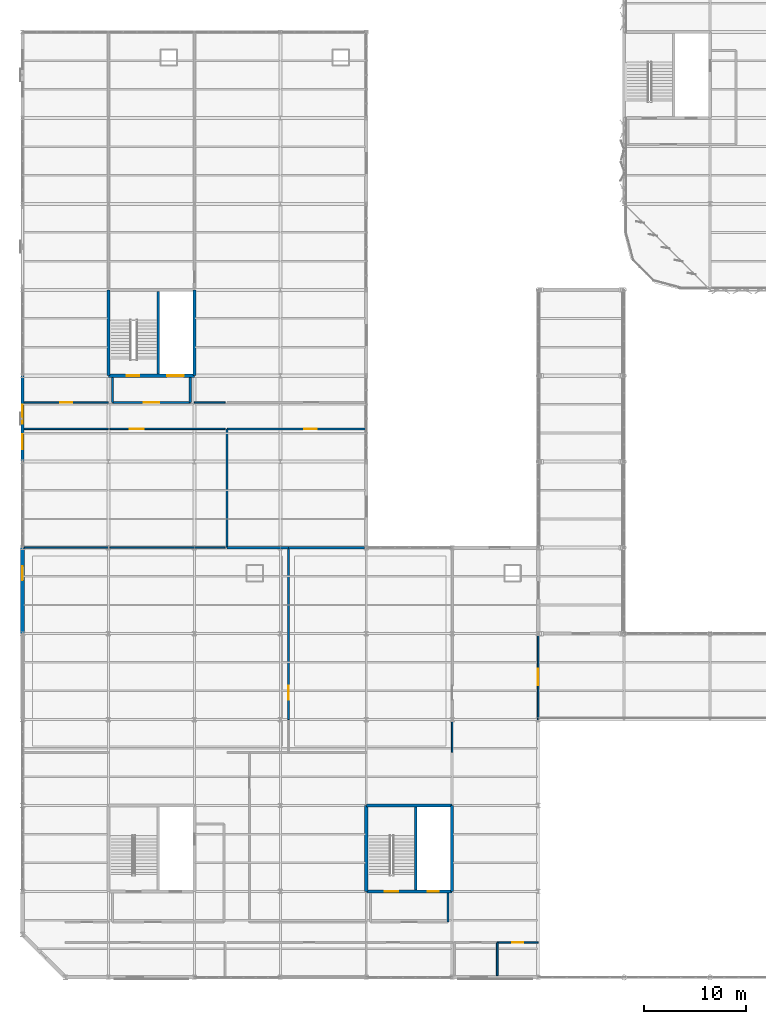
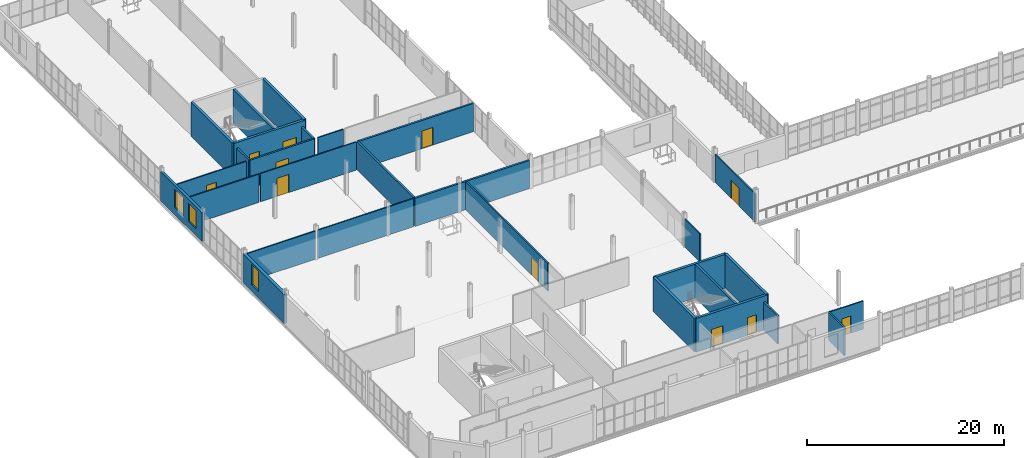
# One storey, part 132 of 163: 30 walls, 11 doors, 3 windows, 14 openings.
"""IFC4 building model written with IfcOpenShell, lengths in metres."""

from ifc_helpers import new_model, si_unit, direction, frame, frame_2d, origin, place, context, subcontext, project, spatial, rectangle, extrude, material, layer, layer_set, type_object, element, fill, save


model = new_model("IFC4")

# Units and contexts
model_context = context("Model", 3, precision=1e-05, world=origin(), true_north=direction((0.0, 1.0)))
body_context = subcontext(model_context, "Body", "Model", "MODEL_VIEW")
ifc_project = project(units=[si_unit("LENGTHUNIT", "METRE"), si_unit("AREAUNIT", "SQUARE_METRE"), si_unit("VOLUMEUNIT", "CUBIC_METRE"), si_unit("PLANEANGLEUNIT", "RADIAN"), si_unit("MASSUNIT", "GRAM", prefix="KILO")], contexts=[model_context])

# Site, building, storey
site_placement = place(None, origin())
site = spatial("IfcSite", under=ifc_project, at=site_placement, CompositionType="ELEMENT")
building_placement = place(site_placement, origin())
building = spatial("IfcBuilding", under=site, at=building_placement, Name="Qalvenar Corner Mobility Hub", CompositionType="ELEMENT")
storey_placement = place(building_placement, frame((0.0, 0.0, 4.800048828125)))
storey = spatial("IfcBuildingStorey", under=building, at=storey_placement, Name="L01", CompositionType="ELEMENT", Elevation=4.800048828125)

# Walls
ifc_material_1 = material(Name="Concrete C40/50", Category="concrete")
ifc_layer_1 = layer(ifc_material_1, 0.25)
ifc_layer_set_1 = layer_set([ifc_layer_1], Name="Concrete C40/50")
wall_type_1 = type_object("IfcWallType", Name="WL-CORE250", PredefinedType="SHEAR", material=ifc_layer_set_1)
wall_1_placement = place(storey_placement, frame((38.449951171875, 8.550048828125, 0.0), z_axis=(0.0, 0.0, 1.0), x_axis=(0.0, 1.0, 0.0)))
element("IfcWall", 1, at=wall_1_placement, inside=storey, type_object=wall_type_1, Name="Core Divider Wall C2-L01", PredefinedType="SHEAR", context=body_context, shape_type="SweptSolid", body=[
    extrude(rectangle(XDim=8.099853515625, YDim=0.25, at=frame_2d((4.0498046875, 0.0))), origin(), (0.0, 0.0, 1.0), 4.199951171875),
])
wall_2_placement = place(storey_placement, frame((13.25, 58.949951171875, 0.0), z_axis=(0.0, 0.0, 1.0), x_axis=(0.0, 1.0, 0.0)))
element("IfcWall", 2, at=wall_2_placement, inside=storey, type_object=wall_type_1, Name="Core Divider Wall C5-L01", PredefinedType="SHEAR", context=body_context, shape_type="SweptSolid", body=[
    extrude(rectangle(XDim=8.10009765625, YDim=0.25, at=frame_2d((4.050048828125, 0.0))), origin(), (0.0, 0.0, 1.0), 4.199951171875),
])

# Wall, openings, doors
ifc_layer_2 = layer(ifc_material_1, 0.300048828125)
ifc_layer_set_2 = layer_set([ifc_layer_2], Name="Concrete C40/50")
wall_type_2 = type_object("IfcWallType", Name="WL-CORE300", PredefinedType="SHEAR", material=ifc_layer_set_2)
wall_3_placement = place(storey_placement, frame((33.60009765625, 8.39990234375, 0.0), z_axis=(0.0, 0.0, 1.0), x_axis=(1.0, 0.0, 0.0)))
wall_3 = element("IfcWall", 3, at=wall_3_placement, inside=storey, type_object=wall_type_2, Name="Core Shear Wall C2-L01-S", PredefinedType="SHEAR", context=body_context, shape_type="SweptSolid", body=[
    extrude(rectangle(XDim=8.39990234375, YDim=0.300048828125, at=frame_2d((4.199951171875, 0.0))), origin(), (0.0, 0.0, 1.0), 4.199951171875),
])
opening_1_placement = place(wall_3_placement, frame((1.800048828125, 0.0, 0.0)))
opening_1 = element("IfcOpeningElement", 4, at=opening_1_placement, cuts=wall_3, Name="Opening DR-120", PredefinedType="OPENING", context=body_context, shape_type="SweptSolid", body=[
    extrude(rectangle(XDim=1.35009765625, YDim=2.199951171875, at=frame_2d((0.675048828125, 1.10009765625))), frame((0.0, 0.16015625, 0.0), z_axis=(0.0, -1.0, 0.0), x_axis=(1.0, 0.0, 0.0)), (0.0, 0.0, 1.0), 0.320068359375),
])
opening_2_placement = place(wall_3_placement, frame((6.0, 0.0, 0.0)))
opening_2 = element("IfcOpeningElement", 5, at=opening_2_placement, cuts=wall_3, Name="Opening DR-121", PredefinedType="OPENING", context=body_context, shape_type="SweptSolid", body=[
    extrude(rectangle(XDim=1.10009765625, YDim=2.199951171875, at=frame_2d((0.550048828125, 1.10009765625))), frame((0.0, 0.16015625, 0.0), z_axis=(0.0, -1.0, 0.0), x_axis=(1.0, 0.0, 0.0)), (0.0, 0.0, 1.0), 0.320068359375),
])
ifc_material_2 = material(Name="Stainless Steel Lift Landing Door", Category="steel")
door_type_1 = type_object("IfcDoorType", Name="DR-LIFT-110", OperationType="SLIDING_TO_LEFT", PredefinedType="DOOR", material=ifc_material_2)
door_1_placement = place(opening_2_placement, origin())
door_1 = element("IfcDoor", 6, at=door_1_placement, inside=storey, type_object=door_type_1, Name="DR-121 Lift Landing Door LF2-L01", OperationType="SLIDING_TO_LEFT", OverallHeight=2.199951171875, OverallWidth=1.10009765625, PredefinedType="DOOR", context=body_context, shape_type="SweptSolid", body=[
    extrude(rectangle(XDim=1.10009765625, YDim=2.199951171875, at=frame_2d((0.550048828125, 1.10009765625))), frame((0.0, 0.02490234375, 0.0), z_axis=(0.0, -1.0, 0.0), x_axis=(1.0, 0.0, 0.0)), (0.0, 0.0, 1.0), 0.050048828125),
])
fill(opening_2, door_1)
ifc_material_3 = material(Name="Fire-Rated Steel Stair Door FD90", Category="steel")
door_type_2 = type_object("IfcDoorType", Name="DR-STAIR-135", OperationType="NOTDEFINED", PredefinedType="DOOR", material=ifc_material_3)
door_2_placement = place(opening_1_placement, origin())
door_2 = element("IfcDoor", 7, at=door_2_placement, inside=storey, type_object=door_type_2, Name="DR-120 Stair Fire Door ST2-L01", OperationType="SINGLE_SWING_LEFT", OverallHeight=2.199951171875, OverallWidth=1.35009765625, PredefinedType="DOOR", context=body_context, shape_type="SweptSolid", body=[
    extrude(rectangle(XDim=1.35009765625, YDim=2.199951171875, at=frame_2d((0.675048828125, 1.10009765625))), frame((0.0, 0.02490234375, 0.0), z_axis=(0.0, -1.0, 0.0), x_axis=(1.0, 0.0, 0.0)), (0.0, 0.0, 1.0), 0.050048828125),
])
fill(opening_1, door_2)

# Walls
wall_4_placement = place(storey_placement, frame((42.0, 8.39990234375, 0.0), z_axis=(0.0, 0.0, 1.0), x_axis=(0.0, 1.0, 0.0)))
element("IfcWall", 8, at=wall_4_placement, inside=storey, type_object=wall_type_2, Name="Core Shear Wall C2-L01-E", PredefinedType="SHEAR", context=body_context, shape_type="SweptSolid", body=[
    extrude(rectangle(XDim=8.400146484375, YDim=0.300048828125, at=frame_2d((4.2001953125, 0.0))), origin(), (0.0, 0.0, 1.0), 4.199951171875),
])
wall_5_placement = place(storey_placement, frame((42.0, 16.800048828125, 0.0), z_axis=(0.0, 0.0, 1.0), x_axis=(-1.0, 0.0, 0.0)))
element("IfcWall", 9, at=wall_5_placement, inside=storey, type_object=wall_type_2, Name="Core Shear Wall C2-L01-N", PredefinedType="SHEAR", context=body_context, shape_type="SweptSolid", body=[
    extrude(rectangle(XDim=8.39990234375, YDim=0.300048828125, at=frame_2d((4.199951171875, 0.0))), origin(), (0.0, 0.0, 1.0), 4.199951171875),
])
wall_6_placement = place(storey_placement, frame((33.60009765625, 16.800048828125, 0.0), z_axis=(0.0, 0.0, 1.0), x_axis=(0.0, -1.0, 0.0)))
element("IfcWall", 10, at=wall_6_placement, inside=storey, type_object=wall_type_2, Name="Core Shear Wall C2-L01-W", PredefinedType="SHEAR", context=body_context, shape_type="SweptSolid", body=[
    extrude(rectangle(XDim=8.400146484375, YDim=0.300048828125, at=frame_2d((4.2001953125, 0.0))), origin(), (0.0, 0.0, 1.0), 4.199951171875),
])

# Wall, openings, doors
wall_7_placement = place(storey_placement, frame((8.39990234375, 58.800048828125, 0.0), z_axis=(0.0, 0.0, 1.0), x_axis=(1.0, 0.0, 0.0)))
wall_7 = element("IfcWall", 11, at=wall_7_placement, inside=storey, type_object=wall_type_2, Name="Core Shear Wall C5-L01-S", PredefinedType="SHEAR", context=body_context, shape_type="SweptSolid", body=[
    extrude(rectangle(XDim=8.400146484375, YDim=0.300048828125, at=frame_2d((4.2001953125, 0.0))), origin(), (0.0, 0.0, 1.0), 4.199951171875),
])
opening_3_placement = place(wall_7_placement, frame((1.800048828125, 0.0, 0.0)))
opening_3 = element("IfcOpeningElement", 12, at=opening_3_placement, cuts=wall_7, Name="Opening DR-130", PredefinedType="OPENING", context=body_context, shape_type="SweptSolid", body=[
    extrude(rectangle(XDim=1.199951171875, YDim=2.199951171875, at=frame_2d((0.60009765625, 1.10009765625))), frame((0.0, 0.16015625, 0.0), z_axis=(0.0, -1.0, 0.0), x_axis=(1.0, 0.0, 0.0)), (0.0, 0.0, 1.0), 0.320068359375),
])
opening_4_placement = place(wall_7_placement, frame((5.75, 0.0, 0.0)))
opening_4 = element("IfcOpeningElement", 13, at=opening_4_placement, cuts=wall_7, Name="Opening DR-131", PredefinedType="OPENING", context=body_context, shape_type="SweptSolid", body=[
    extrude(rectangle(XDim=1.60009765625, YDim=2.39990234375, at=frame_2d((0.800048828125, 1.199951171875))), frame((0.0, 0.16015625, 0.0), z_axis=(0.0, -1.0, 0.0), x_axis=(1.0, 0.0, 0.0)), (0.0, 0.0, 1.0), 0.320068359375),
])
ifc_material_4 = material(Name="Stainless Steel Goods Lift Landing Door", Category="steel")
door_type_3 = type_object("IfcDoorType", Name="DR-LIFT-160", OperationType="SLIDING_TO_LEFT", PredefinedType="DOOR", material=ifc_material_4)
door_3_placement = place(opening_4_placement, origin())
door_3 = element("IfcDoor", 14, at=door_3_placement, inside=storey, type_object=door_type_3, Name="DR-131 Lift Landing Door LG1-L01", OperationType="SLIDING_TO_LEFT", OverallHeight=2.39990234375, OverallWidth=1.60009765625, PredefinedType="DOOR", context=body_context, shape_type="SweptSolid", body=[
    extrude(rectangle(XDim=1.60009765625, YDim=2.39990234375, at=frame_2d((0.800048828125, 1.199951171875))), frame((0.0, 0.02490234375, 0.0), z_axis=(0.0, -1.0, 0.0), x_axis=(1.0, 0.0, 0.0)), (0.0, 0.0, 1.0), 0.050048828125),
])
fill(opening_4, door_3)
door_type_4 = type_object("IfcDoorType", Name="DR-STAIR-120", OperationType="NOTDEFINED", PredefinedType="DOOR", material=ifc_material_3)
door_4_placement = place(opening_3_placement, origin())
door_4 = element("IfcDoor", 15, at=door_4_placement, inside=storey, type_object=door_type_4, Name="DR-130 Stair Fire Door ST5-L01", OperationType="SINGLE_SWING_RIGHT", OverallHeight=2.199951171875, OverallWidth=1.199951171875, PredefinedType="DOOR", context=body_context, shape_type="SweptSolid", body=[
    extrude(rectangle(XDim=1.199951171875, YDim=2.199951171875, at=frame_2d((0.60009765625, 1.10009765625))), frame((0.0, 0.02490234375, 0.0), z_axis=(0.0, -1.0, 0.0), x_axis=(1.0, 0.0, 0.0)), (0.0, 0.0, 1.0), 0.050048828125),
])
fill(opening_3, door_4)

# Walls
for number, where, z_axis, x_axis, name in (
    (16, (16.800048828125, 58.800048828125, 0.0), (0.0, 0.0, 1.0), (0.0, 1.0, 0.0), "Core Shear Wall C5-L01-E"),
    (17, (8.39990234375, 67.199951171875, 0.0), (0.0, 0.0, 1.0), (0.0, -1.0, 0.0), "Core Shear Wall C5-L01-W"),
):
    element("IfcWall", number, at=place(storey_placement, frame(where, z_axis=z_axis, x_axis=x_axis)), inside=storey, type_object=wall_type_2, Name=name, PredefinedType="SHEAR", context=body_context, shape_type="SweptSolid", body=[
        extrude(rectangle(XDim=8.39990234375, YDim=0.300048828125, at=frame_2d((4.199951171875, 0.0))), origin(), (0.0, 0.0, 1.0), 4.199951171875),
    ])

# Wall, openings, windows
ifc_material_5 = material(Name="Lahori Fired Clay Brick Masonry", Category="masonry")
ifc_layer_3 = layer(ifc_material_5, 0.300048828125)
ifc_layer_set_3 = layer_set([ifc_layer_3], Name="Lahori Fired Clay Brick Masonry")
wall_type_3 = type_object("IfcWallType", Name="WL-EXT-BRK300", PredefinedType="STANDARD", material=ifc_layer_set_3)
wall_8_placement = place(storey_placement, frame((0.0, 58.800048828125, 0.0), z_axis=(0.0, 0.0, 1.0), x_axis=(0.0, -1.0, 0.0)))
wall_8 = element("IfcWall", 18, at=wall_8_placement, inside=storey, type_object=wall_type_3, Name="Exterior Facade Wall EW-V5-L01-W1", PredefinedType="STANDARD", context=body_context, shape_type="SweptSolid", body=[
    extrude(rectangle(XDim=8.400146484375, YDim=0.300048828125, at=frame_2d((4.2001953125, 0.0))), origin(), (0.0, 0.0, 1.0), 3.619873046875),
])
opening_5_placement = place(wall_8_placement, frame((2.85498046875, 0.0, 0.89990234375)))
opening_5 = element("IfcOpeningElement", 19, at=opening_5_placement, cuts=wall_8, Name="Opening W-33", PredefinedType="OPENING", context=body_context, shape_type="SweptSolid", body=[
    extrude(rectangle(XDim=1.85009765625, YDim=2.25, at=frame_2d((0.925048828125, 1.125))), frame((0.0, 0.16015625, 0.0), z_axis=(0.0, -1.0, 0.0), x_axis=(1.0, 0.0, 0.0)), (0.0, 0.0, 1.0), 0.320068359375),
])
opening_6_placement = place(wall_8_placement, frame((5.7099609375, 0.0, 0.89990234375)))
opening_6 = element("IfcOpeningElement", 20, at=opening_6_placement, cuts=wall_8, Name="Opening W-34", PredefinedType="OPENING", context=body_context, shape_type="SweptSolid", body=[
    extrude(rectangle(XDim=1.449951171875, YDim=2.25, at=frame_2d((0.72509765625, 1.125))), frame((0.0, 0.16015625, 0.0), z_axis=(0.0, -1.0, 0.0), x_axis=(1.0, 0.0, 0.0)), (0.0, 0.0, 1.0), 0.320068359375),
])
ifc_material_6 = material(Name="Solar-Control Double-Glazed Bronze Window", Category="glass")
window_type_1 = type_object("IfcWindowType", Name="WN-CYC-145X225", PartitioningType="SINGLE_PANEL", PredefinedType="WINDOW", material=ifc_material_6)
window_1_placement = place(opening_6_placement, origin())
window_1 = element("IfcWindow", 21, at=window_1_placement, inside=storey, type_object=window_type_1, Name="Facade Window EW-V5-L01-W1-W2", OverallHeight=2.25, OverallWidth=1.449951171875, PartitioningType="SINGLE_PANEL", PredefinedType="WINDOW", context=body_context, shape_type="SweptSolid", body=[
    extrude(rectangle(XDim=1.449951171875, YDim=2.25, at=frame_2d((0.72509765625, 1.125))), frame((0.0, 0.030029296875, 0.0), z_axis=(0.0, -1.0, 0.0), x_axis=(1.0, 0.0, 0.0)), (0.0, 0.0, 1.0), 0.06005859375),
])
fill(opening_6, window_1)
window_type_2 = type_object("IfcWindowType", Name="WN-CYC-185X225", PartitioningType="DOUBLE_PANEL_VERTICAL", PredefinedType="WINDOW", material=ifc_material_6)
window_2_placement = place(opening_5_placement, origin())
window_2 = element("IfcWindow", 22, at=window_2_placement, inside=storey, type_object=window_type_2, Name="Facade Window EW-V5-L01-W1-W1", OverallHeight=2.25, OverallWidth=1.85009765625, PartitioningType="SINGLE_PANEL", PredefinedType="WINDOW", context=body_context, shape_type="SweptSolid", body=[
    extrude(rectangle(XDim=1.85009765625, YDim=2.25, at=frame_2d((0.925048828125, 1.125))), frame((0.0, 0.030029296875, 0.0), z_axis=(0.0, -1.0, 0.0), x_axis=(1.0, 0.0, 0.0)), (0.0, 0.0, 1.0), 0.06005859375),
])
fill(opening_5, window_2)

# Wall, opening, window
ifc_material_7 = material(Name="Red Sandstone Ashlar Masonry", Category="masonry")
ifc_layer_4 = layer(ifc_material_7, 0.360107421875)
ifc_layer_set_4 = layer_set([ifc_layer_4], Name="Red Sandstone Ashlar Masonry")
wall_type_4 = type_object("IfcWallType", Name="WL-EXT-SAND360", PredefinedType="STANDARD", material=ifc_layer_set_4)
wall_9_placement = place(storey_placement, frame((0.0, 42.0, 0.0), z_axis=(0.0, 0.0, 1.0), x_axis=(0.0, -1.0, 0.0)))
wall_9 = element("IfcWall", 23, at=wall_9_placement, inside=storey, type_object=wall_type_4, Name="Exterior Facade Wall EW-V3-L01-014", PredefinedType="STANDARD", context=body_context, shape_type="SweptSolid", body=[
    extrude(rectangle(XDim=8.39990234375, YDim=0.360107421875, at=frame_2d((4.199951171875, 0.0))), origin(), (0.0, 0.0, 1.0), 3.619873046875),
])
opening_7_placement = place(wall_9_placement, frame((1.800048828125, 0.0, 0.85009765625)))
opening_7 = element("IfcOpeningElement", 24, at=opening_7_placement, cuts=wall_9, Name="Opening W-04", PredefinedType="OPENING", context=body_context, shape_type="SweptSolid", body=[
    extrude(rectangle(XDim=1.39990234375, YDim=2.5, at=frame_2d((0.699951171875, 1.25))), frame((0.0, 0.18994140625, 0.0), z_axis=(0.0, -1.0, 0.0), x_axis=(1.0, 0.0, 0.0)), (0.0, 0.0, 1.0), 0.380126953125),
])
window_type_3 = type_object("IfcWindowType", Name="WN-CIV-140X250", PartitioningType="DOUBLE_PANEL_VERTICAL", PredefinedType="WINDOW", material=ifc_material_6)
window_3_placement = place(opening_7_placement, origin())
window_3 = element("IfcWindow", 25, at=window_3_placement, inside=storey, type_object=window_type_3, Name="Facade Window EW-V3-L01-014-W1", OverallHeight=2.5, OverallWidth=1.39990234375, PartitioningType="SINGLE_PANEL", PredefinedType="WINDOW", context=body_context, shape_type="SweptSolid", body=[
    extrude(rectangle(XDim=1.39990234375, YDim=2.5, at=frame_2d((0.699951171875, 1.25))), frame((0.0, 0.030029296875, 0.0), z_axis=(0.0, -1.0, 0.0), x_axis=(1.0, 0.0, 0.0)), (0.0, 0.0, 1.0), 0.06005859375),
])
fill(opening_7, window_3)

# Walls
ifc_material_8 = material(Name="Concrete Blockwork Masonry", Category="masonry")
ifc_layer_5 = layer(ifc_material_8, 0.219970703125)
ifc_layer_set_5 = layer_set([ifc_layer_5], Name="Concrete Blockwork Masonry")
wall_type_5 = type_object("IfcWallType", Name="WL-FIRE220", PredefinedType="PARTITIONING", material=ifc_layer_set_5)
wall_10_placement = place(storey_placement, frame((20.0, 42.0, 0.0), z_axis=(0.0, 0.0, 1.0), x_axis=(1.0, 0.0, 0.0)))
element("IfcWall", 26, at=wall_10_placement, inside=storey, type_object=wall_type_5, Name="Interior Partition PRT-L01-022", PredefinedType="PARTITIONING", context=body_context, shape_type="SweptSolid", body=[
    extrude(rectangle(XDim=6.0, YDim=0.219970703125, at=frame_2d((3.0, 0.0))), origin(), (0.0, 0.0, 1.0), 3.5),
])
wall_11_placement = place(storey_placement, frame((26.0, 42.0, 0.0), z_axis=(0.0, 0.0, 1.0), x_axis=(1.0, 0.0, 0.0)))
element("IfcWall", 27, at=wall_11_placement, inside=storey, type_object=wall_type_5, Name="Interior Partition PRT-L01-023", PredefinedType="PARTITIONING", context=body_context, shape_type="SweptSolid", body=[
    extrude(rectangle(XDim=7.445068359375, YDim=0.219970703125, at=frame_2d((3.72265625, 0.0))), origin(), (0.0, 0.0, 1.0), 3.5),
])

# Wall, opening, door
wall_12_placement = place(storey_placement, frame((20.0, 53.60009765625, 0.0), z_axis=(0.0, 0.0, 1.0), x_axis=(1.0, 0.0, 0.0)))
wall_12 = element("IfcWall", 28, at=wall_12_placement, inside=storey, type_object=wall_type_5, Name="Interior Partition PRT-L01-026", PredefinedType="PARTITIONING", context=body_context, shape_type="SweptSolid", body=[
    extrude(rectangle(XDim=13.554931640625, YDim=0.219970703125, at=frame_2d((6.77734375, 0.0))), origin(), (0.0, 0.0, 1.0), 3.5),
])
opening_8_placement = place(wall_12_placement, frame((7.52001953125, 0.0, 0.0)))
opening_8 = element("IfcOpeningElement", 29, at=opening_8_placement, cuts=wall_12, Name="Opening DR-147", PredefinedType="OPENING", context=body_context, shape_type="SweptSolid", body=[
    extrude(rectangle(XDim=1.25, YDim=2.199951171875, at=frame_2d((0.625, 1.10009765625))), frame((0.0, 0.1201171875, 0.0), z_axis=(0.0, -1.0, 0.0), x_axis=(1.0, 0.0, 0.0)), (0.0, 0.0, 1.0), 0.239990234375),
])
ifc_material_9 = material(Name="Acoustic Steel Plant Room Door FD60", Category="steel")
door_type_5 = type_object("IfcDoorType", Name="DR-INT-PLT125", OperationType="NOTDEFINED", PredefinedType="DOOR", material=ifc_material_9)
door_5_placement = place(opening_8_placement, origin())
door_5 = element("IfcDoor", 30, at=door_5_placement, inside=storey, type_object=door_type_5, Name="DR-147 E-Bike Battery Swap and Charging Bay Door", OperationType="SINGLE_SWING_RIGHT", OverallHeight=2.199951171875, OverallWidth=1.25, PredefinedType="DOOR", context=body_context, shape_type="SweptSolid", body=[
    extrude(rectangle(XDim=1.25, YDim=2.199951171875, at=frame_2d((0.625, 1.10009765625))), frame((0.0, 0.02490234375, 0.0), z_axis=(0.0, -1.0, 0.0), x_axis=(1.0, 0.0, 0.0)), (0.0, 0.0, 1.0), 0.050048828125),
])
fill(opening_8, door_5)

# Walls
wall_13_placement = place(storey_placement, frame((20.0, 42.0, 0.0), z_axis=(0.0, 0.0, 1.0), x_axis=(0.0, 1.0, 0.0)))
element("IfcWall", 31, at=wall_13_placement, inside=storey, type_object=wall_type_5, Name="Interior Partition PRT-L01-033", PredefinedType="PARTITIONING", context=body_context, shape_type="SweptSolid", body=[
    extrude(rectangle(XDim=11.60009765625, YDim=0.219970703125, at=frame_2d((5.800048828125, 0.0))), origin(), (0.0, 0.0, 1.0), 3.5),
])
ifc_material_10 = material(Name="Acoustic Gypsum Stud Partition", Category="masonry")
ifc_layer_6 = layer(ifc_material_10, 0.139892578125)
ifc_layer_set_6 = layer_set([ifc_layer_6], Name="Acoustic Gypsum Stud Partition")
wall_type_6 = type_object("IfcWallType", Name="WL-INT140", PredefinedType="PARTITIONING", material=ifc_layer_set_6)
wall_14_placement = place(storey_placement, frame((0.18505859375, 42.0, 0.0), z_axis=(0.0, 0.0, 1.0), x_axis=(1.0, 0.0, 0.0)))
element("IfcWall", 32, at=wall_14_placement, inside=storey, type_object=wall_type_6, Name="Interior Partition PRT-L01-020", PredefinedType="PARTITIONING", context=body_context, shape_type="SweptSolid", body=[
    extrude(rectangle(XDim=8.21484375, YDim=0.139892578125, at=frame_2d((4.107421875, 0.0))), origin(), (0.0, 0.0, 1.0), 3.5),
])
wall_15_placement = place(storey_placement, frame((8.550048828125, 42.0, 0.0), z_axis=(0.0, 0.0, 1.0), x_axis=(1.0, 0.0, 0.0)))
element("IfcWall", 33, at=wall_15_placement, inside=storey, type_object=wall_type_6, Name="Interior Partition PRT-L01-021", PredefinedType="PARTITIONING", context=body_context, shape_type="SweptSolid", body=[
    extrude(rectangle(XDim=11.25, YDim=0.139892578125, at=frame_2d((5.625, 0.0))), origin(), (0.0, 0.0, 1.0), 3.5),
])
wall_16_placement = place(storey_placement, frame((0.155029296875, 53.60009765625, 0.0), z_axis=(0.0, 0.0, 1.0), x_axis=(1.0, 0.0, 0.0)))
element("IfcWall", 34, at=wall_16_placement, inside=storey, type_object=wall_type_6, Name="Interior Partition PRT-L01-024", PredefinedType="PARTITIONING", context=body_context, shape_type="SweptSolid", body=[
    extrude(rectangle(XDim=8.244873046875, YDim=0.139892578125, at=frame_2d((4.12255859375, 0.0))), origin(), (0.0, 0.0, 1.0), 3.5),
])

# Wall, opening, door
wall_17_placement = place(storey_placement, frame((8.550048828125, 53.60009765625, 0.0), z_axis=(0.0, 0.0, 1.0), x_axis=(1.0, 0.0, 0.0)))
wall_17 = element("IfcWall", 35, at=wall_17_placement, inside=storey, type_object=wall_type_6, Name="Interior Partition PRT-L01-025", PredefinedType="PARTITIONING", context=body_context, shape_type="SweptSolid", body=[
    extrude(rectangle(XDim=11.25, YDim=0.139892578125, at=frame_2d((5.625, 0.0))), origin(), (0.0, 0.0, 1.0), 3.5),
])
opening_9_placement = place(wall_17_placement, frame((1.919921875, 0.0, 0.0)))
opening_9 = element("IfcOpeningElement", 36, at=opening_9_placement, cuts=wall_17, Name="Opening DR-146", PredefinedType="OPENING", context=body_context, shape_type="SweptSolid", body=[
    extrude(rectangle(XDim=1.39990234375, YDim=2.25, at=frame_2d((0.699951171875, 1.125))), frame((0.0, 0.080078125, 0.0), z_axis=(0.0, -1.0, 0.0), x_axis=(1.0, 0.0, 0.0)), (0.0, 0.0, 1.0), 0.159912109375),
])
ifc_material_11 = material(Name="Hardwood Teak Acoustic Double Door", Category="wood")
door_type_6 = type_object("IfcDoorType", Name="DR-INT-PUB140", OperationType="DOUBLE_DOOR_SINGLE_SWING", PredefinedType="DOOR", material=ifc_material_11)
door_6_placement = place(opening_9_placement, origin())
door_6 = element("IfcDoor", 37, at=door_6_placement, inside=storey, type_object=door_type_6, Name="DR-146 Foldable and E-Scooter Locker Deck Hall Door", OperationType="DOUBLE_DOOR_SINGLE_SWING", OverallHeight=2.25, OverallWidth=1.39990234375, PredefinedType="DOOR", context=body_context, shape_type="SweptSolid", body=[
    extrude(rectangle(XDim=1.39990234375, YDim=2.25, at=frame_2d((0.699951171875, 1.125))), frame((0.0, 0.02490234375, 0.0), z_axis=(0.0, -1.0, 0.0), x_axis=(1.0, 0.0, 0.0)), (0.0, 0.0, 1.0), 0.050048828125),
])
fill(opening_9, door_6)

wall_18_placement = place(storey_placement, frame((0.155029296875, 56.199951171875, 0.0), z_axis=(0.0, 0.0, 1.0), x_axis=(1.0, 0.0, 0.0)))
wall_18 = element("IfcWall", 38, at=wall_18_placement, inside=storey, type_object=wall_type_6, Name="Interior Partition PRT-L01-027", PredefinedType="PARTITIONING", context=body_context, shape_type="SweptSolid", body=[
    extrude(rectangle(XDim=8.244873046875, YDim=0.139892578125, at=frame_2d((4.12255859375, 0.0))), origin(), (0.0, 0.0, 1.0), 3.5),
])
opening_10_placement = place(wall_18_placement, frame((3.548095703125, 0.0, 0.0)))
opening_10 = element("IfcOpeningElement", 39, at=opening_10_placement, cuts=wall_18, Name="Opening DR-148", PredefinedType="OPENING", context=body_context, shape_type="SweptSolid", body=[
    extrude(rectangle(XDim=1.14990234375, YDim=2.14990234375, at=frame_2d((0.574951171875, 1.074951171875))), frame((0.0, 0.080078125, 0.0), z_axis=(0.0, -1.0, 0.0), x_axis=(1.0, 0.0, 0.0)), (0.0, 0.0, 1.0), 0.159912109375),
])
ifc_material_12 = material(Name="Steel Parts Store Door FD60", Category="steel")
door_type_7 = type_object("IfcDoorType", Name="DR-INT-STR115", OperationType="NOTDEFINED", PredefinedType="DOOR", material=ifc_material_12)
door_7_placement = place(opening_10_placement, origin())
door_7 = element("IfcDoor", 40, at=door_7_placement, inside=storey, type_object=door_type_7, Name="DR-148 Upper Commuter Bicycle Store Deck Hall Door", OperationType="SINGLE_SWING_LEFT", OverallHeight=2.14990234375, OverallWidth=1.14990234375, PredefinedType="DOOR", context=body_context, shape_type="SweptSolid", body=[
    extrude(rectangle(XDim=1.14990234375, YDim=2.14990234375, at=frame_2d((0.574951171875, 1.074951171875))), frame((0.0, 0.02490234375, 0.0), z_axis=(0.0, -1.0, 0.0), x_axis=(1.0, 0.0, 0.0)), (0.0, 0.0, 1.0), 0.050048828125),
])
fill(opening_10, door_7)

# Walls
wall_19_placement = place(storey_placement, frame((16.800048828125, 56.199951171875, 0.0), z_axis=(0.0, 0.0, 1.0), x_axis=(1.0, 0.0, 0.0)))
element("IfcWall", 41, at=wall_19_placement, inside=storey, type_object=wall_type_6, Name="Interior Partition PRT-L01-028", PredefinedType="PARTITIONING", context=body_context, shape_type="SweptSolid", body=[
    extrude(rectangle(XDim=3.0, YDim=0.139892578125, at=frame_2d((1.5, 0.0))), origin(), (0.0, 0.0, 1.0), 3.5),
])
wall_20_placement = place(storey_placement, frame((42.0, 22.0, 0.0), z_axis=(0.0, 0.0, 1.0), x_axis=(0.0, 1.0, 0.0)))
element("IfcWall", 42, at=wall_20_placement, inside=storey, type_object=wall_type_6, Name="Interior Partition PRT-L01-038", PredefinedType="PARTITIONING", context=body_context, shape_type="SweptSolid", body=[
    extrude(rectangle(XDim=3.050048828125, YDim=0.139892578125, at=frame_2d((1.52490234375, 0.0))), origin(), (0.0, 0.0, 1.0), 3.489990234375),
])

# Wall, opening, door
wall_21_placement = place(storey_placement, frame((50.39990234375, 25.199951171875, 0.0), z_axis=(0.0, 0.0, 1.0), x_axis=(0.0, 1.0, 0.0)))
wall_21 = element("IfcWall", 43, at=wall_21_placement, inside=storey, type_object=wall_type_6, Name="Interior Partition PRT-L01-042", PredefinedType="PARTITIONING", context=body_context, shape_type="SweptSolid", body=[
    extrude(rectangle(XDim=8.235107421875, YDim=0.139892578125, at=frame_2d((4.11767578125, 0.0))), origin(), (0.0, 0.0, 1.0), 3.5),
])
opening_11_placement = place(wall_21_placement, frame((3.343017578125, 0.0, 0.0)))
opening_11 = element("IfcOpeningElement", 44, at=opening_11_placement, cuts=wall_21, Name="Opening DR-154", PredefinedType="OPENING", context=body_context, shape_type="SweptSolid", body=[
    extrude(rectangle(XDim=1.60009765625, YDim=2.25, at=frame_2d((0.800048828125, 1.125))), frame((0.0, 0.080078125, 0.0), z_axis=(0.0, -1.0, 0.0), x_axis=(1.0, 0.0, 0.0)), (0.0, 0.0, 1.0), 0.159912109375),
])
ifc_material_13 = material(Name="Compartment Fire Door FD90", Category="steel")
door_type_8 = type_object("IfcDoorType", Name="DR-COMP-160", OperationType="DOUBLE_DOOR_SINGLE_SWING", PredefinedType="DOOR", material=ifc_material_13)
door_8_placement = place(opening_11_placement, origin())
door_8 = element("IfcDoor", 45, at=door_8_placement, inside=storey, type_object=door_type_8, Name="DR-154 Upper Bus Concourse Boarding Lounge Link Door", OperationType="DOUBLE_DOOR_SINGLE_SWING", OverallHeight=2.25, OverallWidth=1.60009765625, PredefinedType="DOOR", context=body_context, shape_type="SweptSolid", body=[
    extrude(rectangle(XDim=1.60009765625, YDim=2.25, at=frame_2d((0.800048828125, 1.125))), frame((0.0, 0.02490234375, 0.0), z_axis=(0.0, -1.0, 0.0), x_axis=(1.0, 0.0, 0.0)), (0.0, 0.0, 1.0), 0.050048828125),
])
fill(opening_11, door_8)

ifc_material_14 = material(Name="Plastered Clay Brick Partition", Category="masonry")
ifc_layer_7 = layer(ifc_material_14, 0.159912109375)
ifc_layer_set_7 = layer_set([ifc_layer_7], Name="Plastered Clay Brick Partition")
wall_type_7 = type_object("IfcWallType", Name="WL-INT160", PredefinedType="PARTITIONING", material=ifc_layer_set_7)
wall_22_placement = place(storey_placement, frame((26.0, 25.199951171875, 0.0), z_axis=(0.0, 0.0, 1.0), x_axis=(0.0, 1.0, 0.0)))
wall_22 = element("IfcWall", 46, at=wall_22_placement, inside=storey, type_object=wall_type_7, Name="Interior Partition PRT-L01-036", PredefinedType="PARTITIONING", context=body_context, shape_type="SweptSolid", body=[
    extrude(rectangle(XDim=16.800048828125, YDim=0.159912109375, at=frame_2d((8.39990234375, 0.0))), origin(), (0.0, 0.0, 1.0), 3.5),
])
opening_12_placement = place(wall_22_placement, frame((1.919921875, 0.0, 0.0)))
opening_12 = element("IfcOpeningElement", 47, at=opening_12_placement, cuts=wall_22, Name="Opening DR-152", PredefinedType="OPENING", context=body_context, shape_type="SweptSolid", body=[
    extrude(rectangle(XDim=1.39990234375, YDim=2.25, at=frame_2d((0.699951171875, 1.125))), frame((0.0, 0.08984375, 0.0), z_axis=(0.0, -1.0, 0.0), x_axis=(1.0, 0.0, 0.0)), (0.0, 0.0, 1.0), 0.179931640625),
])
door_9_placement = place(opening_12_placement, origin())
door_9 = element("IfcDoor", 48, at=door_9_placement, inside=storey, type_object=door_type_6, Name="DR-152 West Concourse Passenger Lounge Door", OperationType="DOUBLE_DOOR_SINGLE_SWING", OverallHeight=2.25, OverallWidth=1.39990234375, PredefinedType="DOOR", context=body_context, shape_type="SweptSolid", body=[
    extrude(rectangle(XDim=1.39990234375, YDim=2.25, at=frame_2d((0.699951171875, 1.125))), frame((0.0, 0.02490234375, 0.0), z_axis=(0.0, -1.0, 0.0), x_axis=(1.0, 0.0, 0.0)), (0.0, 0.0, 1.0), 0.050048828125),
])
fill(opening_12, door_9)

# Walls
ifc_material_15 = material(Name="Concrete Blockwork Masonry", Category="masonry")
ifc_layer_8 = layer(ifc_material_15, 0.199951171875)
ifc_layer_set_8 = layer_set([ifc_layer_8], Name="Concrete Blockwork Masonry")
wall_type_8 = type_object("IfcWallType", Name="WL-LOBBY200", PredefinedType="PARTITIONING", material=ifc_layer_set_8)
wall_23_placement = place(storey_placement, frame((41.60009765625, 5.39990234375, 0.0), z_axis=(0.0, 0.0, 1.0), x_axis=(0.0, 1.0, 0.0)))
element("IfcWall", 49, at=wall_23_placement, inside=storey, type_object=wall_type_8, Name="Interior Partition WL-LOB-C2-L01-E", PredefinedType="PARTITIONING", context=body_context, shape_type="SweptSolid", body=[
    extrude(rectangle(XDim=2.85009765625, YDim=0.199951171875, at=frame_2d((1.425048828125, 0.0))), origin(), (0.0, 0.0, 1.0), 3.489990234375),
])
wall_24_placement = place(storey_placement, frame((8.800048828125, 56.199951171875, 0.0), z_axis=(0.0, 0.0, 1.0), x_axis=(0.0, 1.0, 0.0)))
element("IfcWall", 50, at=wall_24_placement, inside=storey, type_object=wall_type_8, Name="Interior Partition WL-LOB-C5-L01-W", PredefinedType="PARTITIONING", context=body_context, shape_type="SweptSolid", body=[
    extrude(rectangle(XDim=2.449951171875, YDim=0.199951171875, at=frame_2d((1.22509765625, 0.0))), origin(), (0.0, 0.0, 1.0), 3.52001953125),
])
wall_25_placement = place(storey_placement, frame((16.39990234375, 56.199951171875, 0.0), z_axis=(0.0, 0.0, 1.0), x_axis=(0.0, 1.0, 0.0)))
element("IfcWall", 51, at=wall_25_placement, inside=storey, type_object=wall_type_8, Name="Interior Partition WL-LOB-C5-L01-E", PredefinedType="PARTITIONING", context=body_context, shape_type="SweptSolid", body=[
    extrude(rectangle(XDim=2.449951171875, YDim=0.199951171875, at=frame_2d((1.22509765625, 0.0))), origin(), (0.0, 0.0, 1.0), 3.5),
])

# Wall, opening, door
wall_26_placement = place(storey_placement, frame((8.800048828125, 56.199951171875, 0.0), z_axis=(0.0, 0.0, 1.0), x_axis=(1.0, 0.0, 0.0)))
wall_26 = element("IfcWall", 52, at=wall_26_placement, inside=storey, type_object=wall_type_8, Name="Interior Partition WL-LOB-C5-L01-S", PredefinedType="PARTITIONING", context=body_context, shape_type="SweptSolid", body=[
    extrude(rectangle(XDim=7.599853515625, YDim=0.199951171875, at=frame_2d((3.7998046875, 0.0))), origin(), (0.0, 0.0, 1.0), 3.52001953125),
])
opening_13_placement = place(wall_26_placement, frame((3.050048828125, 0.0, 0.0)))
opening_13 = element("IfcOpeningElement", 53, at=opening_13_placement, cuts=wall_26, Name="Opening DR-132", PredefinedType="OPENING", context=body_context, shape_type="SweptSolid", body=[
    extrude(rectangle(XDim=1.5, YDim=2.199951171875, at=frame_2d((0.75, 1.10009765625))), frame((0.0, 0.10986328125, 0.0), z_axis=(0.0, -1.0, 0.0), x_axis=(1.0, 0.0, 0.0)), (0.0, 0.0, 1.0), 0.219970703125),
])
ifc_material_16 = material(Name="Firefighting Lobby Smoke-Control Door FD60", Category="steel")
door_type_9 = type_object("IfcDoorType", Name="DR-FFLOB-150", OperationType="DOUBLE_DOOR_SINGLE_SWING", PredefinedType="DOOR", material=ifc_material_16)
door_10_placement = place(opening_13_placement, origin())
door_10 = element("IfcDoor", 54, at=door_10_placement, inside=storey, type_object=door_type_9, Name="DR-132 Lift Lobby Smoke Door C5-L01", OperationType="DOUBLE_DOOR_SINGLE_SWING", OverallHeight=2.199951171875, OverallWidth=1.5, PredefinedType="DOOR", context=body_context, shape_type="SweptSolid", body=[
    extrude(rectangle(XDim=1.5, YDim=2.199951171875, at=frame_2d((0.75, 1.10009765625))), frame((0.0, 0.02490234375, 0.0), z_axis=(0.0, -1.0, 0.0), x_axis=(1.0, 0.0, 0.0)), (0.0, 0.0, 1.0), 0.050048828125),
])
fill(opening_13, door_10)

ifc_material_17 = material(Name="Ceramic-Tiled Moisture-Resistant Partition", Category="masonry")
ifc_layer_9 = layer(ifc_material_17, 0.14990234375)
ifc_layer_set_9 = layer_set([ifc_layer_9], Name="Ceramic-Tiled Moisture-Resistant Partition")
wall_type_9 = type_object("IfcWallType", Name="WL-WET150", PredefinedType="PARTITIONING", material=ifc_layer_set_9)
wall_27_placement = place(storey_placement, frame((46.39990234375, 3.39990234375, 0.0), z_axis=(0.0, 0.0, 1.0), x_axis=(1.0, 0.0, 0.0)))
wall_27 = element("IfcWall", 55, at=wall_27_placement, inside=storey, type_object=wall_type_9, Name="Interior Partition PRT-L01-006", PredefinedType="PARTITIONING", context=body_context, shape_type="SweptSolid", body=[
    extrude(rectangle(XDim=4.0, YDim=0.14990234375, at=frame_2d((2.0, 0.0))), origin(), (0.0, 0.0, 1.0), 3.5),
])
opening_14_placement = place(wall_27_placement, frame((1.47509765625, 0.0, 0.0)))
opening_14 = element("IfcOpeningElement", 56, at=opening_14_placement, cuts=wall_27, Name="Opening DR-140", PredefinedType="OPENING", context=body_context, shape_type="SweptSolid", body=[
    extrude(rectangle(XDim=1.050048828125, YDim=2.14990234375, at=frame_2d((0.52490234375, 1.074951171875))), frame((0.0, 0.0849609375, 0.0), z_axis=(0.0, -1.0, 0.0), x_axis=(1.0, 0.0, 0.0)), (0.0, 0.0, 1.0), 0.169921875),
])
ifc_material_18 = material(Name="Accessible Wheelchair WC Door", Category="wood")
door_type_10 = type_object("IfcDoorType", Name="DR-INT-AWC105", OperationType="NOTDEFINED", PredefinedType="DOOR", material=ifc_material_18)
door_11_placement = place(opening_14_placement, origin())
door_11 = element("IfcDoor", 57, at=door_11_placement, inside=storey, type_object=door_type_10, Name="DR-140 First Floor Accessible WC Door", OperationType="SINGLE_SWING_LEFT", OverallHeight=2.14990234375, OverallWidth=1.050048828125, PredefinedType="DOOR", context=body_context, shape_type="SweptSolid", body=[
    extrude(rectangle(XDim=1.050048828125, YDim=2.14990234375, at=frame_2d((0.52490234375, 1.074951171875))), frame((0.0, 0.02490234375, 0.0), z_axis=(0.0, -1.0, 0.0), x_axis=(1.0, 0.0, 0.0)), (0.0, 0.0, 1.0), 0.050048828125),
])
fill(opening_14, door_11)

# Wall
wall_28_placement = place(storey_placement, frame((46.39990234375, 0.18505859375, 0.0), z_axis=(0.0, 0.0, 1.0), x_axis=(0.0, 1.0, 0.0)))
element("IfcWall", 58, at=wall_28_placement, inside=storey, type_object=wall_type_9, Name="Interior Partition PRT-L01-041", PredefinedType="PARTITIONING", context=body_context, shape_type="SweptSolid", body=[
    extrude(rectangle(XDim=3.21484375, YDim=0.14990234375, at=frame_2d((1.607421875, 0.0))), origin(), (0.0, 0.0, 1.0), 3.5),
])

save(model, "model.ifc")
